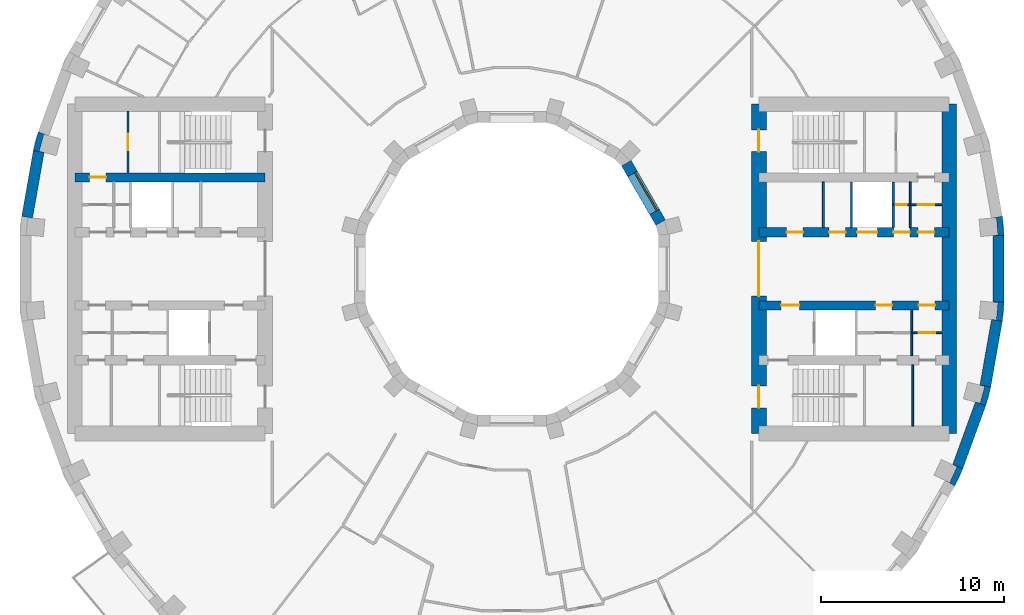
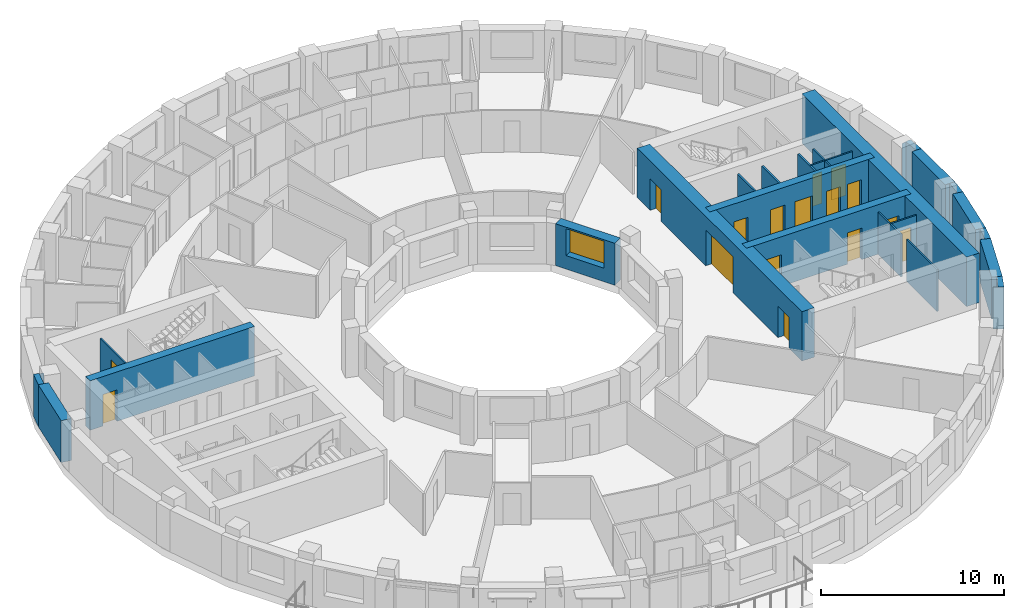
# One storey, part 8 of 14: 25 walls, 16 doors, 1 window, 17 openings.
"""IFC4 building model written with IfcOpenShell, lengths in metres."""

from ifc_helpers import new_model, si_unit, direction, frame, frame_2d, origin, place, context, subcontext, project, spatial, polyline, rectangle, outline, extrude, material, layer, layer_set, type_object, element, fill, save


model = new_model("IFC4")

# Units and contexts
model_context = context("Model", 3, precision=1e-05, world=origin(), true_north=direction((0.0, 1.0)))
body_context = subcontext(model_context, "Body", "Model", "MODEL_VIEW")
ifc_project = project(units=[si_unit("LENGTHUNIT", "METRE"), si_unit("AREAUNIT", "SQUARE_METRE"), si_unit("VOLUMEUNIT", "CUBIC_METRE"), si_unit("PLANEANGLEUNIT", "RADIAN"), si_unit("MASSUNIT", "GRAM", prefix="KILO")], contexts=[model_context])

# Site, building, storey
site_placement = place(None, origin())
site = spatial("IfcSite", under=ifc_project, at=site_placement, CompositionType="ELEMENT")
building_placement = place(site_placement, origin())
building = spatial("IfcBuilding", under=site, at=building_placement, Name="Saqina Gate Tower", CompositionType="ELEMENT")
storey_placement = place(building_placement, frame((0.0, 0.0, 131.5)))
storey = spatial("IfcBuildingStorey", under=building, at=storey_placement, Name="L37", CompositionType="ELEMENT", Elevation=131.5)

# Walls
ifc_material_1 = material(Name="Brick masonry (buff)", Category="masonry")
wall_type_1 = type_object("IfcWallType", Name="BRICK PIER COPING BUFF", PredefinedType="SOLIDWALL", material=ifc_material_1)
wall_1_placement = place(storey_placement, origin())
element("IfcWall", 1, at=wall_1_placement, inside=storey, type_object=wall_type_1, Name="Pier cap L37 column 1", PredefinedType="SOLIDWALL", context=body_context, shape_type="SweptSolid", body=[
    extrude(outline(polyline([(26.805419921875, 2.87451171875), (26.214599609375, 2.770263671875), (26.482421875, 2.793701171875), (26.565185546875, 1.847412109375), (26.29736328125, 1.823974609375), (26.897216796875, 1.823974609375), (26.805419921875, 2.87451171875)])), origin(), (0.0, 0.0, 1.0), 2.800048828125),
])
wall_2_placement = place(storey_placement, origin())
element("IfcWall", 2, at=wall_2_placement, inside=storey, type_object=wall_type_1, Name="Pier cap L37 column 17", PredefinedType="SOLIDWALL", context=body_context, shape_type="SweptSolid", body=[
    extrude(outline(polyline([(-25.89892578125, 7.485595703125), (-26.171875, 6.466796875), (-25.5810546875, 6.36279296875), (-25.8408203125, 6.43212890625), (-25.5947265625, 7.349853515625), (-25.335205078125, 7.2802734375), (-25.89892578125, 7.485595703125)])), origin(), (0.0, 0.0, 1.0), 2.800048828125),
])
wall_3_placement = place(storey_placement, origin())
element("IfcWall", 3, at=wall_3_placement, inside=storey, type_object=wall_type_1, Name="Pier cap L37 column 34", PredefinedType="SOLIDWALL", context=body_context, shape_type="SweptSolid", body=[
    extrude(outline(polyline([(24.6513671875, -10.913330078125), (24.08740234375, -10.7080078125), (24.331298828125, -10.82177734375), (23.9296875, -11.6826171875), (23.68603515625, -11.569091796875), (24.205810546875, -11.869140625), (24.6513671875, -10.913330078125)])), origin(), (0.0, 0.0, 1.0), 2.800048828125),
])
wall_4_placement = place(storey_placement, origin())
element("IfcWall", 4, at=wall_4_placement, inside=storey, type_object=wall_type_1, Name="Pier cap L37 column 35", PredefinedType="SOLIDWALL", context=body_context, shape_type="SweptSolid", body=[
    extrude(outline(polyline([(25.89892578125, -7.485595703125), (26.171875, -6.466796875), (25.5810546875, -6.36279296875), (25.8408203125, -6.43212890625), (25.5947265625, -7.349853515625), (25.335205078125, -7.2802734375), (25.89892578125, -7.485595703125)])), origin(), (0.0, 0.0, 1.0), 2.800048828125),
])
wall_5_placement = place(storey_placement, origin())
element("IfcWall", 5, at=wall_5_placement, inside=storey, type_object=wall_type_1, Name="Pier cap L37 column 36", PredefinedType="SOLIDWALL", context=body_context, shape_type="SweptSolid", body=[
    extrude(outline(polyline([(26.805419921875, -2.87451171875), (26.897216796875, -1.823974609375), (26.29736328125, -1.823974609375), (26.565185546875, -1.847412109375), (26.482421875, -2.793701171875), (26.214599609375, -2.770263671875), (26.805419921875, -2.87451171875)])), origin(), (0.0, 0.0, 1.0), 2.800048828125),
])
ifc_material_2 = material(Name="Gypsum board on steel studs", Category="steel")
ifc_layer_1 = layer(ifc_material_2, 0.10009765625)
ifc_layer_set_1 = layer_set([ifc_layer_1], Name="CORE PARTITION")
wall_type_2 = type_object("IfcWallType", Name="CORE PARTITION", PredefinedType="PARTITIONING", material=ifc_layer_set_1)
for number, where, z_axis, x_axis, name in (
    (6, (17.022216796875, 2.25, 0.0), (0.0, 0.0, 1.0), (0.0, 1.0, 0.0), "L37-CP-E01"),
    (7, (21.77099609375, 2.25, 0.0), (0.0, 0.0, 1.0), (0.0, 1.0, 0.0), "L37-CP-E04"),
    (8, (21.8583984375, -4.75, 0.0), (0.0, 0.0, 1.0), (0.0, 1.0, 0.0), "L37-CP-E07"),
):
    element("IfcWall", number, at=place(storey_placement, frame(where, z_axis=z_axis, x_axis=x_axis)), inside=storey, type_object=wall_type_2, Name=name, PredefinedType="PARTITIONING", context=body_context, shape_type="SweptSolid", body=[
        extrude(rectangle(XDim=2.5, YDim=0.10009765625, at=frame_2d((1.25, 0.0))), origin(), (0.0, 0.0, 1.0), 2.800048828125),
    ])

# Wall, opening, door
wall_6_placement = place(storey_placement, frame((20.840087890625, 3.5, 0.0), z_axis=(0.0, 0.0, 1.0), x_axis=(1.0, 0.0, 0.0)))
wall_6 = element("IfcWall", 9, at=wall_6_placement, inside=storey, type_object=wall_type_2, Name="L37-CP-E08", PredefinedType="PARTITIONING", context=body_context, shape_type="SweptSolid", body=[
    extrude(rectangle(XDim=0.930908203125, YDim=0.10009765625, at=frame_2d((0.46533203125, 0.0))), origin(), (0.0, 0.0, 1.0), 2.800048828125),
])
opening_1_placement = place(wall_6_placement, frame((0.14990234375, 0.0, 0.0)))
opening_1 = element("IfcOpeningElement", 10, at=opening_1_placement, cuts=wall_6, Name="Opening G11-D97", PredefinedType="OPENING", context=body_context, shape_type="SweptSolid", body=[
    extrude(rectangle(XDim=0.60009765625, YDim=2.10009765625, at=frame_2d((0.300048828125, 1.050048828125))), frame((0.0, 0.06201171875, 0.0), z_axis=(0.0, -1.0, 0.0), x_axis=(1.0, 0.0, 0.0)), (0.0, 0.0, 1.0), 0.1240234375),
])
ifc_material_3 = material(Name="Steel-framed fire door leaf, EI 60", Category="steel")
door_type_1 = type_object("IfcDoorType", Name="SERVICE ROOM DOOR 600", OperationType="SINGLE_SWING_LEFT", PredefinedType="DOOR", material=ifc_material_3)
door_1_placement = place(opening_1_placement, origin())
door_1 = element("IfcDoor", 11, at=door_1_placement, inside=storey, type_object=door_type_1, Name="L37-CD-E08", OperationType="SINGLE_SWING_LEFT", OverallHeight=2.10009765625, OverallWidth=0.60009765625, PredefinedType="DOOR", context=body_context, shape_type="SweptSolid", body=[
    extrude(rectangle(XDim=0.60009765625, YDim=2.10009765625, at=frame_2d((0.300048828125, 1.050048828125))), frame((0.0, 0.02490234375, 0.0), z_axis=(0.0, -1.0, 0.0), x_axis=(1.0, 0.0, 0.0)), (0.0, 0.0, 1.0), 0.050048828125),
])
fill(opening_1, door_1)

wall_7_placement = place(storey_placement, frame((21.77099609375, 3.5, 0.0), z_axis=(0.0, 0.0, 1.0), x_axis=(1.0, 0.0, 0.0)))
wall_7 = element("IfcWall", 12, at=wall_7_placement, inside=storey, type_object=wall_type_2, Name="L37-CP-E09", PredefinedType="PARTITIONING", context=body_context, shape_type="SweptSolid", body=[
    extrude(rectangle(XDim=1.72900390625, YDim=0.10009765625, at=frame_2d((0.864501953125, 0.0))), origin(), (0.0, 0.0, 1.0), 2.800048828125),
])
opening_2_placement = place(wall_7_placement, frame((0.41455078125, 0.0, 0.0)))
opening_2 = element("IfcOpeningElement", 13, at=opening_2_placement, cuts=wall_7, Name="Opening G11-D98", PredefinedType="OPENING", context=body_context, shape_type="SweptSolid", body=[
    extrude(rectangle(XDim=0.89990234375, YDim=2.10009765625, at=frame_2d((0.449951171875, 1.050048828125))), frame((0.0, 0.06201171875, 0.0), z_axis=(0.0, -1.0, 0.0), x_axis=(1.0, 0.0, 0.0)), (0.0, 0.0, 1.0), 0.1240234375),
])
ifc_material_4 = material(Name="Steel-framed fire door leaf, EI 60", Category="steel")
door_type_2 = type_object("IfcDoorType", Name="SERVICE ROOM DOOR 900", OperationType="SINGLE_SWING_LEFT", PredefinedType="DOOR", material=ifc_material_4)
door_2_placement = place(opening_2_placement, origin())
door_2 = element("IfcDoor", 14, at=door_2_placement, inside=storey, type_object=door_type_2, Name="L37-CD-E09", OperationType="SINGLE_SWING_RIGHT", OverallHeight=2.10009765625, OverallWidth=0.89990234375, PredefinedType="DOOR", context=body_context, shape_type="SweptSolid", body=[
    extrude(rectangle(XDim=0.89990234375, YDim=2.10009765625, at=frame_2d((0.449951171875, 1.050048828125))), frame((0.0, 0.02490234375, 0.0), z_axis=(0.0, -1.0, 0.0), x_axis=(1.0, 0.0, 0.0)), (0.0, 0.0, 1.0), 0.050048828125),
])
fill(opening_2, door_2)

wall_8_placement = place(storey_placement, frame((21.8583984375, -3.5, 0.0), z_axis=(0.0, 0.0, 1.0), x_axis=(1.0, 0.0, 0.0)))
wall_8 = element("IfcWall", 15, at=wall_8_placement, inside=storey, type_object=wall_type_2, Name="L37-CP-E11", PredefinedType="PARTITIONING", context=body_context, shape_type="SweptSolid", body=[
    extrude(rectangle(XDim=1.6416015625, YDim=0.10009765625, at=frame_2d((0.82080078125, 0.0))), origin(), (0.0, 0.0, 1.0), 2.800048828125),
])
opening_3_placement = place(wall_8_placement, frame((0.370849609375, 0.0, 0.0)))
opening_3 = element("IfcOpeningElement", 16, at=opening_3_placement, cuts=wall_8, Name="Opening G11-D101", PredefinedType="OPENING", context=body_context, shape_type="SweptSolid", body=[
    extrude(rectangle(XDim=0.89990234375, YDim=2.10009765625, at=frame_2d((0.449951171875, 1.050048828125))), frame((0.0, 0.06201171875, 0.0), z_axis=(0.0, -1.0, 0.0), x_axis=(1.0, 0.0, 0.0)), (0.0, 0.0, 1.0), 0.1240234375),
])
door_3_placement = place(opening_3_placement, frame((0.89990234375, 0.0, 0.0), z_axis=(0.0, 0.0, 1.0), x_axis=(-1.0, 0.0, 0.0)))
door_3 = element("IfcDoor", 17, at=door_3_placement, inside=storey, type_object=door_type_2, Name="L37-CD-E12", OperationType="SINGLE_SWING_LEFT", OverallHeight=2.10009765625, OverallWidth=0.89990234375, PredefinedType="DOOR", context=body_context, shape_type="SweptSolid", body=[
    extrude(rectangle(XDim=0.89990234375, YDim=2.10009765625, at=frame_2d((0.449951171875, 1.050048828125))), frame((0.0, 0.02490234375, 0.0), z_axis=(0.0, -1.0, 0.0), x_axis=(1.0, 0.0, 0.0)), (0.0, 0.0, 1.0), 0.050048828125),
])
fill(opening_3, door_3)

# Wall
wall_9_placement = place(storey_placement, frame((21.91162109375, -8.60009765625, 0.0), z_axis=(0.0, 0.0, 1.0), x_axis=(0.0, 1.0, 0.0)))
element("IfcWall", 18, at=wall_9_placement, inside=storey, type_object=wall_type_2, Name="L37-CP-E15", PredefinedType="PARTITIONING", context=body_context, shape_type="SweptSolid", body=[
    extrude(rectangle(XDim=3.35009765625, YDim=0.10009765625, at=frame_2d((1.675048828125, 0.0))), origin(), (0.0, 0.0, 1.0), 2.800048828125),
])

# Wall, opening, door
wall_10_placement = place(storey_placement, frame((-20.991943359375, 5.25, 0.0), z_axis=(0.0, 0.0, 1.0), x_axis=(0.0, 1.0, 0.0)))
wall_10 = element("IfcWall", 19, at=wall_10_placement, inside=storey, type_object=wall_type_2, Name="L37-CP-W13", PredefinedType="PARTITIONING", context=body_context, shape_type="SweptSolid", body=[
    extrude(rectangle(XDim=3.35009765625, YDim=0.10009765625, at=frame_2d((1.675048828125, 0.0))), origin(), (0.0, 0.0, 1.0), 2.800048828125),
])
opening_4_placement = place(wall_10_placement, frame((1.22509765625, 0.0, 0.0)))
opening_4 = element("IfcOpeningElement", 20, at=opening_4_placement, cuts=wall_10, Name="Opening G11-D118", PredefinedType="OPENING", context=body_context, shape_type="SweptSolid", body=[
    extrude(rectangle(XDim=0.89990234375, YDim=2.10009765625, at=frame_2d((0.449951171875, 1.050048828125))), frame((0.0, 0.06201171875, 0.0), z_axis=(0.0, -1.0, 0.0), x_axis=(1.0, 0.0, 0.0)), (0.0, 0.0, 1.0), 0.1240234375),
])
door_4_placement = place(opening_4_placement, origin())
door_4 = element("IfcDoor", 21, at=door_4_placement, inside=storey, type_object=door_type_2, Name="L37-CD-W29", OperationType="SINGLE_SWING_RIGHT", OverallHeight=2.10009765625, OverallWidth=0.89990234375, PredefinedType="DOOR", context=body_context, shape_type="SweptSolid", body=[
    extrude(rectangle(XDim=0.89990234375, YDim=2.10009765625, at=frame_2d((0.449951171875, 1.050048828125))), frame((0.0, 0.02490234375, 0.0), z_axis=(0.0, -1.0, 0.0), x_axis=(1.0, 0.0, 0.0)), (0.0, 0.0, 1.0), 0.050048828125),
])
fill(opening_4, door_4)

# Walls
ifc_material_5 = material(Name="Glazed ceramic tile", Category="ceramic")
ifc_layer_2 = layer(ifc_material_5, 0.60009765625)
ifc_layer_set_2 = layer_set([ifc_layer_2], Name="FW-TILE")
wall_type_3 = type_object("IfcWallType", Name="FW-TILE", PredefinedType="SOLIDWALL", material=ifc_layer_set_2)
for number, where, z_axis, x_axis, name in (
    (22, (24.369384765625, -10.810791015625, 0.0), (0.0, 0.0, 1.0), (0.341990236633, 0.939703505393, 0.0), "Facade wall L37 facet 34"),
    (23, (26.59716796875, -1.823974609375, 0.0), (0.0, 0.0, 1.0), (0.0, 1.0, 0.0), "Facade wall L37 facet 36"),
):
    element("IfcWall", number, at=place(storey_placement, frame(where, z_axis=z_axis, x_axis=x_axis)), inside=storey, type_object=wall_type_3, Name=name, PredefinedType="SOLIDWALL", context=body_context, shape_type="SweptSolid", body=[
        extrude(rectangle(XDim=3.64794921875, YDim=0.60009765625, at=frame_2d((1.823974609375, 0.0))), origin(), (0.0, 0.0, 1.0), 2.800048828125),
    ])
ifc_material_6 = material(Name="Glazed ceramic tile (dark blue)", Category="ceramic")
ifc_layer_3 = layer(ifc_material_6, 0.60009765625)
ifc_layer_set_3 = layer_set([ifc_layer_3], Name="FW-TILE-CB")
wall_type_4 = type_object("IfcWallType", Name="FW-TILE-CB", PredefinedType="SOLIDWALL", material=ifc_layer_set_3)
wall_11_placement = place(storey_placement, frame((-25.87646484375, 6.414794921875, 0.0), z_axis=(0.0, 0.0, 1.0), x_axis=(-0.173670796382, -0.984803764455, 0.0)))
element("IfcWall", 24, at=wall_11_placement, inside=storey, type_object=wall_type_4, Name="Facade wall L37 facet 17", PredefinedType="SOLIDWALL", context=body_context, shape_type="SweptSolid", body=[
    extrude(rectangle(XDim=3.64794921875, YDim=0.60009765625, at=frame_2d((1.823974609375, 0.0))), origin(), (0.0, 0.0, 1.0), 2.800048828125),
])
ifc_material_7 = material(Name="Glazed ceramic tile (white)", Category="ceramic")
ifc_layer_4 = layer(ifc_material_7, 0.60009765625)
ifc_layer_set_4 = layer_set([ifc_layer_4], Name="FW-TILE-WH")
wall_type_5 = type_object("IfcWallType", Name="FW-TILE-WH", PredefinedType="SOLIDWALL", material=ifc_layer_set_4)
wall_12_placement = place(storey_placement, frame((25.87646484375, -6.414794921875, 0.0), z_axis=(0.0, 0.0, 1.0), x_axis=(0.173670796382, 0.984803764455, 0.0)))
element("IfcWall", 25, at=wall_12_placement, inside=storey, type_object=wall_type_5, Name="Facade wall L37 facet 35", PredefinedType="SOLIDWALL", context=body_context, shape_type="SweptSolid", body=[
    extrude(rectangle(XDim=3.64794921875, YDim=0.60009765625, at=frame_2d((1.823974609375, 0.0))), origin(), (0.0, 0.0, 1.0), 2.800048828125),
])

# Wall, opening, window
ifc_material_8 = material(Name="Glazed ceramic tile", Category="ceramic")
ifc_layer_5 = layer(ifc_material_8, 0.60009765625)
ifc_layer_set_5 = layer_set([ifc_layer_5], Name="IW-TILE")
wall_type_6 = type_object("IfcWallType", Name="IW-TILE", PredefinedType="SOLIDWALL", material=ifc_layer_set_5)
wall_13_placement = place(storey_placement, frame((8.124755859375, 2.52734375, 0.0), z_axis=(0.0, 0.0, 1.0), x_axis=(-0.499964958637, 0.86604563398, 0.0)))
wall_13 = element("IfcWall", 26, at=wall_13_placement, inside=storey, type_object=wall_type_6, Name="Well wall L37 facet 1", PredefinedType="SOLIDWALL", context=body_context, shape_type="SweptSolid", body=[
    extrude(rectangle(XDim=3.747314453125, YDim=0.60009765625, at=frame_2d((1.87353515625, 0.0))), origin(), (0.0, 0.0, 1.0), 2.800048828125),
])
opening_5_placement = place(wall_13_placement, frame((0.673583984375, 0.0, 0.89990234375)))
opening_5 = element("IfcOpeningElement", 27, at=opening_5_placement, cuts=wall_13, Name="Opening G11-W23", PredefinedType="OPENING", context=body_context, shape_type="SweptSolid", body=[
    extrude(rectangle(XDim=2.39990234375, YDim=1.800048828125, at=frame_2d((1.199951171875, 0.89990234375))), frame((0.0, 0.31201171875, 0.0), z_axis=(0.0, -1.0, 0.0), x_axis=(1.0, 0.0, 0.0)), (0.0, 0.0, 1.0), 0.6240234375),
])
ifc_material_9 = material(Name="Aluminium glazing", Category="aluminium")
window_type = type_object("IfcWindowType", Name="WN-W", PartitioningType="SINGLE_PANEL", PredefinedType="WINDOW", material=ifc_material_9)
window_placement = place(opening_5_placement, origin())
window = element("IfcWindow", 28, at=window_placement, inside=storey, type_object=window_type, Name="Well window L37 facet 1", OverallHeight=1.800048828125, OverallWidth=2.39990234375, PartitioningType="SINGLE_PANEL", PredefinedType="WINDOW", context=body_context, shape_type="SweptSolid", body=[
    extrude(rectangle(XDim=2.39990234375, YDim=1.800048828125, at=frame_2d((1.199951171875, 0.89990234375))), frame((0.0, -0.119873046875, 0.0), z_axis=(0.0, -1.0, 0.0), x_axis=(1.0, 0.0, 0.0)), (0.0, 0.0, 1.0), 0.06005859375),
])
fill(opening_5, window)

# Walls
ifc_material_10 = material(Name="Autoclaved aerated concrete block", Category="concrete")
ifc_layer_6 = layer(ifc_material_10, 0.1201171875)
ifc_layer_set_6 = layer_set([ifc_layer_6], Name="SHAFT PARTITION")
wall_type_7 = type_object("IfcWallType", Name="SHAFT PARTITION", PredefinedType="PARTITIONING", material=ifc_layer_set_6)
for number, where, z_axis, x_axis, name in (
    (29, (18.56005859375, 2.25, 0.0), (0.0, 0.0, 1.0), (0.0, 1.0, 0.0), "L37-CP-E02"),
    (30, (20.840087890625, 2.25, 0.0), (0.0, 0.0, 1.0), (0.0, 1.0, 0.0), "L37-CP-E03"),
):
    element("IfcWall", number, at=place(storey_placement, frame(where, z_axis=z_axis, x_axis=x_axis)), inside=storey, type_object=wall_type_7, Name=name, PredefinedType="PARTITIONING", context=body_context, shape_type="SweptSolid", body=[
        extrude(rectangle(XDim=2.5, YDim=0.1201171875, at=frame_2d((1.25, 0.0))), origin(), (0.0, 0.0, 1.0), 2.800048828125),
    ])

# Wall, openings, doors
ifc_material_11 = material(Name="Concrete C70/85", Category="concrete")
ifc_layer_7 = layer(ifc_material_11, 0.5)
ifc_layer_set_7 = layer_set([ifc_layer_7], Name="Concrete C70/85")
wall_type_8 = type_object("IfcWallType", Name="STR-CORE WALL-B-I", PredefinedType="SHEAR", material=ifc_layer_set_7)
wall_14_placement = place(storey_placement, frame((13.5, 2.0, 0.0), z_axis=(0.0, 0.0, 1.0), x_axis=(1.0, 0.0, 0.0)))
wall_14 = element("IfcWall", 31, at=wall_14_placement, inside=storey, type_object=wall_type_8, Name="CORE WALL L37 E-L1", PredefinedType="SHEAR", context=body_context, shape_type="SweptSolid", body=[
    extrude(rectangle(XDim=10.39990234375, YDim=0.5, at=frame_2d((5.199951171875, 0.0))), origin(), (0.0, 0.0, 1.0), 3.300048828125),
])
opening_6_placement = place(wall_14_placement, frame((5.3701171875, 0.0, 0.0)))
opening_6 = element("IfcOpeningElement", 32, at=opening_6_placement, cuts=wall_14, Name="Opening G11-LD1", PredefinedType="OPENING", context=body_context, shape_type="SweptSolid", body=[
    extrude(rectangle(XDim=1.10009765625, YDim=2.10009765625, at=frame_2d((0.550048828125, 1.050048828125))), frame((0.0, 0.261962890625, 0.0), z_axis=(0.0, -1.0, 0.0), x_axis=(1.0, 0.0, 0.0)), (0.0, 0.0, 1.0), 0.52392578125),
])
opening_7_placement = place(wall_14_placement, frame((1.510986328125, 0.0, 0.0)))
opening_7 = element("IfcOpeningElement", 33, at=opening_7_placement, cuts=wall_14, Name="Opening G11-D90", PredefinedType="OPENING", context=body_context, shape_type="SweptSolid", body=[
    extrude(rectangle(XDim=0.89990234375, YDim=2.10009765625, at=frame_2d((0.449951171875, 1.050048828125))), frame((0.0, 0.261962890625, 0.0), z_axis=(0.0, -1.0, 0.0), x_axis=(1.0, 0.0, 0.0)), (0.0, 0.0, 1.0), 0.52392578125),
])
opening_8_placement = place(wall_14_placement, frame((3.841064453125, 0.0, 0.0)))
opening_8 = element("IfcOpeningElement", 34, at=opening_8_placement, cuts=wall_14, Name="Opening G11-D91", PredefinedType="OPENING", context=body_context, shape_type="SweptSolid", body=[
    extrude(rectangle(XDim=0.89990234375, YDim=2.10009765625, at=frame_2d((0.449951171875, 1.050048828125))), frame((0.0, 0.261962890625, 0.0), z_axis=(0.0, -1.0, 0.0), x_axis=(1.0, 0.0, 0.0)), (0.0, 0.0, 1.0), 0.52392578125),
])
opening_9_placement = place(wall_14_placement, frame((7.35546875, 0.0, 0.0)))
opening_9 = element("IfcOpeningElement", 35, at=opening_9_placement, cuts=wall_14, Name="Opening G11-D92", PredefinedType="OPENING", context=body_context, shape_type="SweptSolid", body=[
    extrude(rectangle(XDim=0.89990234375, YDim=2.10009765625, at=frame_2d((0.449951171875, 1.050048828125))), frame((0.0, 0.261962890625, 0.0), z_axis=(0.0, -1.0, 0.0), x_axis=(1.0, 0.0, 0.0)), (0.0, 0.0, 1.0), 0.52392578125),
])
opening_10_placement = place(wall_14_placement, frame((8.685546875, 0.0, 0.0)))
opening_10 = element("IfcOpeningElement", 36, at=opening_10_placement, cuts=wall_14, Name="Opening G11-D93", PredefinedType="OPENING", context=body_context, shape_type="SweptSolid", body=[
    extrude(rectangle(XDim=0.89990234375, YDim=2.10009765625, at=frame_2d((0.449951171875, 1.050048828125))), frame((0.0, 0.261962890625, 0.0), z_axis=(0.0, -1.0, 0.0), x_axis=(1.0, 0.0, 0.0)), (0.0, 0.0, 1.0), 0.52392578125),
])
ifc_material_12 = material(Name="Stainless steel", Category="steel")
door_type_3 = type_object("IfcDoorType", Name="LANDING DOOR", OperationType="DOUBLE_DOOR_SLIDING", PredefinedType="DOOR", material=ifc_material_12)
door_5_placement = place(opening_6_placement, origin())
door_5 = element("IfcDoor", 37, at=door_5_placement, inside=storey, type_object=door_type_3, Name="LANDING DOOR MR1", OperationType="DOUBLE_DOOR_SLIDING", OverallHeight=2.10009765625, OverallWidth=1.10009765625, PredefinedType="DOOR", context=body_context, shape_type="SweptSolid", body=[
    extrude(rectangle(XDim=1.10009765625, YDim=2.10009765625, at=frame_2d((0.550048828125, 1.050048828125))), frame((0.0, 0.02490234375, 0.0), z_axis=(0.0, -1.0, 0.0), x_axis=(1.0, 0.0, 0.0)), (0.0, 0.0, 1.0), 0.050048828125),
])
fill(opening_6, door_5)
door_6_placement = place(opening_7_placement, origin())
door_6 = element("IfcDoor", 38, at=door_6_placement, inside=storey, type_object=door_type_2, Name="L37-CD-E01", OperationType="SINGLE_SWING_LEFT", OverallHeight=2.10009765625, OverallWidth=0.89990234375, PredefinedType="DOOR", context=body_context, shape_type="SweptSolid", body=[
    extrude(rectangle(XDim=0.89990234375, YDim=2.10009765625, at=frame_2d((0.449951171875, 1.050048828125))), frame((0.0, 0.02490234375, 0.0), z_axis=(0.0, -1.0, 0.0), x_axis=(1.0, 0.0, 0.0)), (0.0, 0.0, 1.0), 0.050048828125),
])
fill(opening_7, door_6)
door_7_placement = place(opening_8_placement, origin())
door_7 = element("IfcDoor", 39, at=door_7_placement, inside=storey, type_object=door_type_2, Name="L37-CD-E02", OperationType="SINGLE_SWING_RIGHT", OverallHeight=2.10009765625, OverallWidth=0.89990234375, PredefinedType="DOOR", context=body_context, shape_type="SweptSolid", body=[
    extrude(rectangle(XDim=0.89990234375, YDim=2.10009765625, at=frame_2d((0.449951171875, 1.050048828125))), frame((0.0, 0.02490234375, 0.0), z_axis=(0.0, -1.0, 0.0), x_axis=(1.0, 0.0, 0.0)), (0.0, 0.0, 1.0), 0.050048828125),
])
fill(opening_8, door_7)
door_8_placement = place(opening_9_placement, origin())
door_8 = element("IfcDoor", 40, at=door_8_placement, inside=storey, type_object=door_type_2, Name="L37-CD-E03", OperationType="SINGLE_SWING_LEFT", OverallHeight=2.10009765625, OverallWidth=0.89990234375, PredefinedType="DOOR", context=body_context, shape_type="SweptSolid", body=[
    extrude(rectangle(XDim=0.89990234375, YDim=2.10009765625, at=frame_2d((0.449951171875, 1.050048828125))), frame((0.0, 0.02490234375, 0.0), z_axis=(0.0, -1.0, 0.0), x_axis=(1.0, 0.0, 0.0)), (0.0, 0.0, 1.0), 0.050048828125),
])
fill(opening_9, door_8)
door_9_placement = place(opening_10_placement, origin())
door_9 = element("IfcDoor", 41, at=door_9_placement, inside=storey, type_object=door_type_2, Name="L37-CD-E04", OperationType="SINGLE_SWING_RIGHT", OverallHeight=2.10009765625, OverallWidth=0.89990234375, PredefinedType="DOOR", context=body_context, shape_type="SweptSolid", body=[
    extrude(rectangle(XDim=0.89990234375, YDim=2.10009765625, at=frame_2d((0.449951171875, 1.050048828125))), frame((0.0, 0.02490234375, 0.0), z_axis=(0.0, -1.0, 0.0), x_axis=(1.0, 0.0, 0.0)), (0.0, 0.0, 1.0), 0.050048828125),
])
fill(opening_10, door_9)

wall_15_placement = place(storey_placement, frame((13.5, -2.0, 0.0), z_axis=(0.0, 0.0, 1.0), x_axis=(1.0, 0.0, 0.0)))
wall_15 = element("IfcWall", 42, at=wall_15_placement, inside=storey, type_object=wall_type_8, Name="CORE WALL L37 E-L2", PredefinedType="SHEAR", context=body_context, shape_type="SweptSolid", body=[
    extrude(rectangle(XDim=10.39990234375, YDim=0.5, at=frame_2d((5.199951171875, 0.0))), origin(), (0.0, 0.0, 1.0), 3.300048828125),
])
opening_11_placement = place(wall_15_placement, frame((1.215087890625, 0.0, 0.0)))
opening_11 = element("IfcOpeningElement", 43, at=opening_11_placement, cuts=wall_15, Name="Opening G11-D94", PredefinedType="OPENING", context=body_context, shape_type="SweptSolid", body=[
    extrude(rectangle(XDim=1.0, YDim=2.10009765625, at=frame_2d((0.5, 1.050048828125))), frame((0.0, 0.261962890625, 0.0), z_axis=(0.0, -1.0, 0.0), x_axis=(1.0, 0.0, 0.0)), (0.0, 0.0, 1.0), 0.52392578125),
])
opening_12_placement = place(wall_15_placement, frame((6.38427734375, 0.0, 0.0)))
opening_12 = element("IfcOpeningElement", 44, at=opening_12_placement, cuts=wall_15, Name="Opening G11-D95", PredefinedType="OPENING", context=body_context, shape_type="SweptSolid", body=[
    extrude(rectangle(XDim=0.89990234375, YDim=2.10009765625, at=frame_2d((0.449951171875, 1.050048828125))), frame((0.0, 0.261962890625, 0.0), z_axis=(0.0, -1.0, 0.0), x_axis=(1.0, 0.0, 0.0)), (0.0, 0.0, 1.0), 0.52392578125),
])
opening_13_placement = place(wall_15_placement, frame((8.729248046875, 0.0, 0.0)))
opening_13 = element("IfcOpeningElement", 45, at=opening_13_placement, cuts=wall_15, Name="Opening G11-D96", PredefinedType="OPENING", context=body_context, shape_type="SweptSolid", body=[
    extrude(rectangle(XDim=0.89990234375, YDim=2.10009765625, at=frame_2d((0.449951171875, 1.050048828125))), frame((0.0, 0.261962890625, 0.0), z_axis=(0.0, -1.0, 0.0), x_axis=(1.0, 0.0, 0.0)), (0.0, 0.0, 1.0), 0.52392578125),
])
ifc_material_13 = material(Name="Steel", Category="steel")
door_type_4 = type_object("IfcDoorType", Name="FIRE LOBBY DOOR EI 60", OperationType="SINGLE_SWING_LEFT", PredefinedType="DOOR", material=ifc_material_13)
door_10_placement = place(opening_11_placement, origin())
door_10 = element("IfcDoor", 46, at=door_10_placement, inside=storey, type_object=door_type_4, Name="L37-CD-E05", OperationType="SINGLE_SWING_LEFT", OverallHeight=2.10009765625, OverallWidth=1.0, PredefinedType="DOOR", context=body_context, shape_type="SweptSolid", body=[
    extrude(rectangle(XDim=1.0, YDim=2.10009765625, at=frame_2d((0.5, 1.050048828125))), frame((0.0, 0.02490234375, 0.0), z_axis=(0.0, -1.0, 0.0), x_axis=(1.0, 0.0, 0.0)), (0.0, 0.0, 1.0), 0.050048828125),
])
fill(opening_11, door_10)
door_11_placement = place(opening_12_placement, frame((0.89990234375, 0.0, 0.0), z_axis=(0.0, 0.0, 1.0), x_axis=(-1.0, 0.0, 0.0)))
door_11 = element("IfcDoor", 47, at=door_11_placement, inside=storey, type_object=door_type_2, Name="L37-CD-E06", OperationType="SINGLE_SWING_LEFT", OverallHeight=2.10009765625, OverallWidth=0.89990234375, PredefinedType="DOOR", context=body_context, shape_type="SweptSolid", body=[
    extrude(rectangle(XDim=0.89990234375, YDim=2.10009765625, at=frame_2d((0.449951171875, 1.050048828125))), frame((0.0, 0.02490234375, 0.0), z_axis=(0.0, -1.0, 0.0), x_axis=(1.0, 0.0, 0.0)), (0.0, 0.0, 1.0), 0.050048828125),
])
fill(opening_12, door_11)
door_12_placement = place(opening_13_placement, frame((0.89990234375, 0.0, 0.0), z_axis=(0.0, 0.0, 1.0), x_axis=(-1.0, 0.0, 0.0)))
door_12 = element("IfcDoor", 48, at=door_12_placement, inside=storey, type_object=door_type_2, Name="L37-CD-E07", OperationType="SINGLE_SWING_LEFT", OverallHeight=2.10009765625, OverallWidth=0.89990234375, PredefinedType="DOOR", context=body_context, shape_type="SweptSolid", body=[
    extrude(rectangle(XDim=0.89990234375, YDim=2.10009765625, at=frame_2d((0.449951171875, 1.050048828125))), frame((0.0, 0.02490234375, 0.0), z_axis=(0.0, -1.0, 0.0), x_axis=(1.0, 0.0, 0.0)), (0.0, 0.0, 1.0), 0.050048828125),
])
fill(opening_13, door_12)

# Wall, opening, door
wall_16_placement = place(storey_placement, frame((-13.5, 5.0, 0.0), z_axis=(0.0, 0.0, 1.0), x_axis=(-1.0, 0.0, 0.0)))
wall_16 = element("IfcWall", 49, at=wall_16_placement, inside=storey, type_object=wall_type_8, Name="CORE WALL L37 W-X1", PredefinedType="SHEAR", context=body_context, shape_type="SweptSolid", body=[
    extrude(rectangle(XDim=10.39990234375, YDim=0.5, at=frame_2d((5.199951171875, 0.0))), origin(), (0.0, 0.0, 1.0), 3.300048828125),
])
opening_14_placement = place(wall_16_placement, frame((8.685546875, 0.0, 0.0)))
opening_14 = element("IfcOpeningElement", 50, at=opening_14_placement, cuts=wall_16, Name="Opening G11-D119", PredefinedType="OPENING", context=body_context, shape_type="SweptSolid", body=[
    extrude(rectangle(XDim=0.89990234375, YDim=2.10009765625, at=frame_2d((0.449951171875, 1.050048828125))), frame((0.0, 0.261962890625, 0.0), z_axis=(0.0, -1.0, 0.0), x_axis=(1.0, 0.0, 0.0)), (0.0, 0.0, 1.0), 0.52392578125),
])
door_13_placement = place(opening_14_placement, frame((0.89990234375, 0.0, 0.0), z_axis=(0.0, 0.0, 1.0), x_axis=(-1.0, 0.0, 0.0)))
door_13 = element("IfcDoor", 51, at=door_13_placement, inside=storey, type_object=door_type_2, Name="L37-CD-W30", OperationType="SINGLE_SWING_LEFT", OverallHeight=2.10009765625, OverallWidth=0.89990234375, PredefinedType="DOOR", context=body_context, shape_type="SweptSolid", body=[
    extrude(rectangle(XDim=0.89990234375, YDim=2.10009765625, at=frame_2d((0.449951171875, 1.050048828125))), frame((0.0, 0.02490234375, 0.0), z_axis=(0.0, -1.0, 0.0), x_axis=(1.0, 0.0, 0.0)), (0.0, 0.0, 1.0), 0.050048828125),
])
fill(opening_14, door_13)

# Wall, openings, doors
ifc_material_14 = material(Name="Concrete C70/85", Category="concrete")
ifc_layer_8 = layer(ifc_material_14, 0.800048828125)
ifc_layer_set_8 = layer_set([ifc_layer_8], Name="Concrete C70/85")
wall_type_9 = type_object("IfcWallType", Name="STR-CORE WALL-B-O", PredefinedType="SHEAR", material=ifc_layer_set_8)
wall_17_placement = place(storey_placement, frame((13.5, -9.0, 0.0), z_axis=(0.0, 0.0, 1.0), x_axis=(0.0, 1.0, 0.0)))
wall_17 = element("IfcWall", 52, at=wall_17_placement, inside=storey, type_object=wall_type_9, Name="CORE WALL L37 E-W1", PredefinedType="SHEAR", context=body_context, shape_type="SweptSolid", body=[
    extrude(rectangle(XDim=18.0, YDim=0.800048828125, at=frame_2d((9.0, 0.0))), origin(), (0.0, 0.0, 1.0), 3.300048828125),
])
opening_15_placement = place(wall_17_placement, frame((15.39990234375, 0.0, 0.0)))
opening_15 = element("IfcOpeningElement", 53, at=opening_15_placement, cuts=wall_17, Name="Opening G11-D106", PredefinedType="OPENING", context=body_context, shape_type="SweptSolid", body=[
    extrude(rectangle(XDim=1.199951171875, YDim=2.10009765625, at=frame_2d((0.60009765625, 1.050048828125))), frame((0.0, 0.412109375, 0.0), z_axis=(0.0, -1.0, 0.0), x_axis=(1.0, 0.0, 0.0)), (0.0, 0.0, 1.0), 0.823974609375),
])
opening_16_placement = place(wall_17_placement, frame((1.39990234375, 0.0, 0.0)))
opening_16 = element("IfcOpeningElement", 54, at=opening_16_placement, cuts=wall_17, Name="Opening G11-D107", PredefinedType="OPENING", context=body_context, shape_type="SweptSolid", body=[
    extrude(rectangle(XDim=1.199951171875, YDim=2.10009765625, at=frame_2d((0.60009765625, 1.050048828125))), frame((0.0, 0.412109375, 0.0), z_axis=(0.0, -1.0, 0.0), x_axis=(1.0, 0.0, 0.0)), (0.0, 0.0, 1.0), 0.823974609375),
])
opening_17_placement = place(wall_17_placement, frame((7.5, 0.0, 0.0)))
opening_17 = element("IfcOpeningElement", 55, at=opening_17_placement, cuts=wall_17, Name="Opening G11-D108", PredefinedType="OPENING", context=body_context, shape_type="SweptSolid", body=[
    extrude(rectangle(XDim=3.0, YDim=2.39990234375, at=frame_2d((1.5, 1.199951171875))), frame((0.0, 0.412109375, 0.0), z_axis=(0.0, -1.0, 0.0), x_axis=(1.0, 0.0, 0.0)), (0.0, 0.0, 1.0), 0.823974609375),
])
ifc_material_15 = material(Name="Steel", Category="steel")
door_type_5 = type_object("IfcDoorType", Name="FIRE DOOR EI 60", OperationType="SINGLE_SWING_LEFT", PredefinedType="DOOR", material=ifc_material_15)
door_14_placement = place(opening_15_placement, frame((1.199951171875, 0.0, 0.0), z_axis=(0.0, 0.0, 1.0), x_axis=(-1.0, 0.0, 0.0)))
door_14 = element("IfcDoor", 56, at=door_14_placement, inside=storey, type_object=door_type_5, Name="L37-CD-E17", OperationType="SINGLE_SWING_LEFT", OverallHeight=2.10009765625, OverallWidth=1.199951171875, PredefinedType="DOOR", context=body_context, shape_type="SweptSolid", body=[
    extrude(rectangle(XDim=1.199951171875, YDim=2.10009765625, at=frame_2d((0.60009765625, 1.050048828125))), frame((0.0, 0.02490234375, 0.0), z_axis=(0.0, -1.0, 0.0), x_axis=(1.0, 0.0, 0.0)), (0.0, 0.0, 1.0), 0.050048828125),
])
fill(opening_15, door_14)
door_15_placement = place(opening_16_placement, frame((1.199951171875, 0.0, 0.0), z_axis=(0.0, 0.0, 1.0), x_axis=(-1.0, 0.0, 0.0)))
door_15 = element("IfcDoor", 57, at=door_15_placement, inside=storey, type_object=door_type_5, Name="L37-CD-E18", OperationType="SINGLE_SWING_RIGHT", OverallHeight=2.10009765625, OverallWidth=1.199951171875, PredefinedType="DOOR", context=body_context, shape_type="SweptSolid", body=[
    extrude(rectangle(XDim=1.199951171875, YDim=2.10009765625, at=frame_2d((0.60009765625, 1.050048828125))), frame((0.0, 0.02490234375, 0.0), z_axis=(0.0, -1.0, 0.0), x_axis=(1.0, 0.0, 0.0)), (0.0, 0.0, 1.0), 0.050048828125),
])
fill(opening_16, door_15)
ifc_material_16 = material(Name="Steel and fire-resisting glass", Category="steel")
door_type_6 = type_object("IfcDoorType", Name="LOBBY SCREEN DOOR", OperationType="DOUBLE_DOOR_SLIDING", PredefinedType="DOOR", material=ifc_material_16)
door_16_placement = place(opening_17_placement, origin())
door_16 = element("IfcDoor", 58, at=door_16_placement, inside=storey, type_object=door_type_6, Name="L37-CD-E19", OperationType="DOUBLE_DOOR_SLIDING", OverallHeight=2.39990234375, OverallWidth=3.0, PredefinedType="DOOR", context=body_context, shape_type="SweptSolid", body=[
    extrude(rectangle(XDim=3.0, YDim=2.39990234375, at=frame_2d((1.5, 1.199951171875))), frame((0.0, 0.02490234375, 0.0), z_axis=(0.0, -1.0, 0.0), x_axis=(1.0, 0.0, 0.0)), (0.0, 0.0, 1.0), 0.050048828125),
])
fill(opening_17, door_16)

# Wall
wall_18_placement = place(storey_placement, frame((23.89990234375, -9.0, 0.0), z_axis=(0.0, 0.0, 1.0), x_axis=(0.0, 1.0, 0.0)))
element("IfcWall", 59, at=wall_18_placement, inside=storey, type_object=wall_type_9, Name="CORE WALL L37 E-W2", PredefinedType="SHEAR", context=body_context, shape_type="SweptSolid", body=[
    extrude(rectangle(XDim=18.0, YDim=0.800048828125, at=frame_2d((9.0, 0.0))), origin(), (0.0, 0.0, 1.0), 3.300048828125),
])

save(model, "model.ifc")
